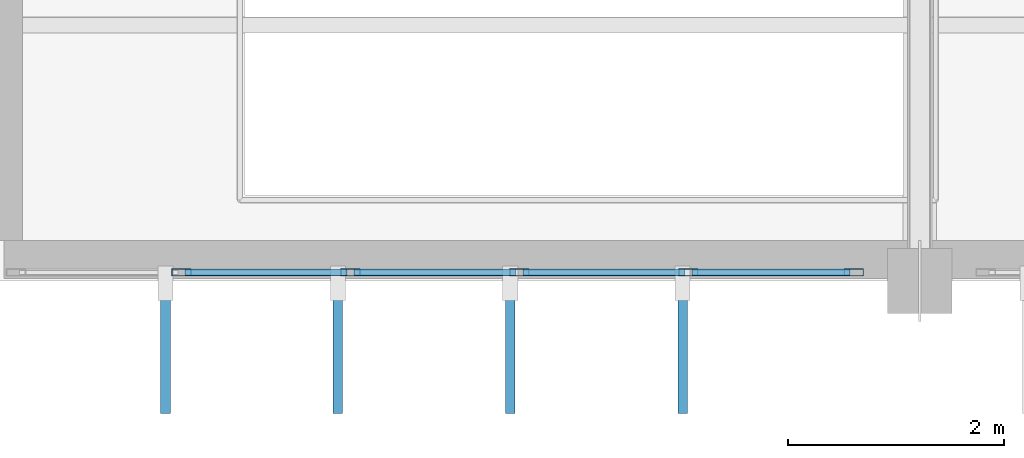
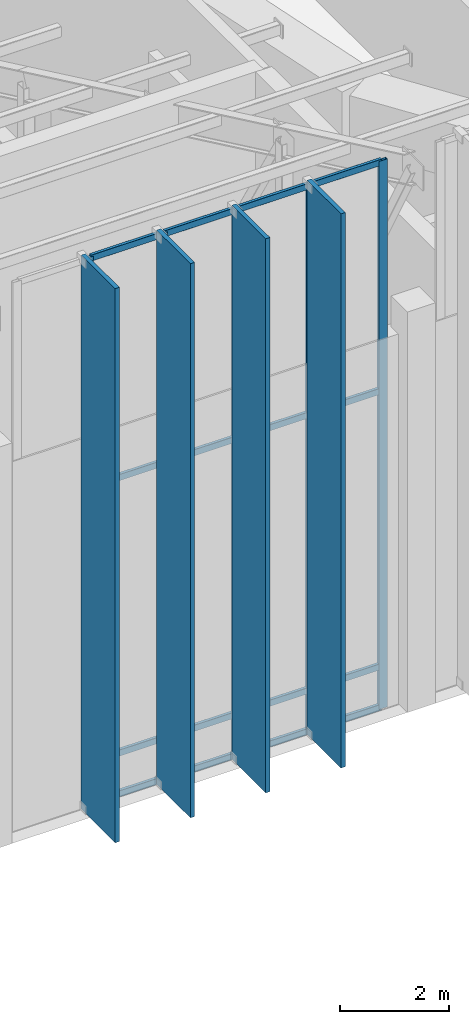
# One storey, part 23 of 68: 25 members, 1 element without a shape of its own.
"""IFC4 building model written with IfcOpenShell, lengths in metres."""

from ifc_helpers import new_model, si_unit, direction, frame, origin, origin_2d, place, context, subcontext, project, spatial, rectangle, hollow_rectangle, extrude, material, material_profile, profile_set, type_object, element, aggregate, save


model = new_model("IFC4")

# Units and contexts
model_context = context("Model", 3, precision=1e-05, world=origin(), true_north=direction((0.0, 1.0)))
body_context = subcontext(model_context, "Body", "Model", "MODEL_VIEW")
ifc_project = project(units=[si_unit("LENGTHUNIT", "METRE"), si_unit("AREAUNIT", "SQUARE_METRE"), si_unit("VOLUMEUNIT", "CUBIC_METRE"), si_unit("PLANEANGLEUNIT", "RADIAN"), si_unit("MASSUNIT", "GRAM", prefix="KILO")], contexts=[model_context])

# Site, building, storey
site_placement = place(None, origin())
site = spatial("IfcSite", under=ifc_project, at=site_placement, CompositionType="ELEMENT")
building_placement = place(site_placement, origin())
building = spatial("IfcBuilding", under=site, at=building_placement, Name="Miravela Opera House", CompositionType="ELEMENT")
storey_placement = place(building_placement, frame((0.0, 0.0, 21.760009765625)))
storey = spatial("IfcBuildingStorey", under=building, at=storey_placement, Name="L05", CompositionType="ELEMENT", Elevation=21.760009765625)

# Curtain wall, members
ifc_material = material(Name="Anodised architectural bronze aluminium 6063-T6", Category="aluminium")
curtain_wall_type = type_object("IfcCurtainWallType", Name="ARC-CW-03", PredefinedType="NOTDEFINED", material=ifc_material)
curtain_wall_placement = place(storey_placement, origin())
curtain_wall = element("IfcCurtainWall", 1, at=curtain_wall_placement, inside=storey, type_object=curtain_wall_type, Name="Auditorium South Wrapper Glazing CW-L05-064", PredefinedType="NOTDEFINED")
ifc_material_profile_1 = material_profile(ifc_material, hollow_rectangle(XDim=0.06494140625, YDim=0.179931640625, WallThickness=0.00390625, InnerFilletRadius=0.001953125, OuterFilletRadius=0.00390625, at=origin_2d()), Name="CWM-65X180")
ifc_profile_set_1 = profile_set([ifc_material_profile_1])
member_type_1 = type_object("IfcMemberType", Name="ARC-CWM-180", PredefinedType="MULLION", material=ifc_profile_set_1)
member_1_placement = place(storey_placement, frame((47.14794921875, 37.080078125, 0.0), z_axis=(0.0, 0.0, 1.0), x_axis=(0.0, 1.0, 0.0)))
member_1 = element("IfcMember", 2, at=member_1_placement, type_object=member_type_1, Name="CW-03 mullion 2", PredefinedType="MULLION", context=body_context, shape_type="SweptSolid", body=[
    extrude(hollow_rectangle(XDim=0.06494140625, YDim=0.179931640625, WallThickness=0.00390625, InnerFilletRadius=0.001953125, OuterFilletRadius=0.00390625, at=origin_2d()), origin(), (0.0, 0.0, 1.0), 12.31005859375),
])
member_2_placement = place(storey_placement, frame((48.716064453125, 37.080078125, 0.0), z_axis=(0.0, 0.0, 1.0), x_axis=(0.0, 1.0, 0.0)))
member_2 = element("IfcMember", 3, at=member_2_placement, type_object=member_type_1, Name="CW-03 mullion 3", PredefinedType="MULLION", context=body_context, shape_type="SweptSolid", body=[
    extrude(hollow_rectangle(XDim=0.06494140625, YDim=0.179931640625, WallThickness=0.00390625, InnerFilletRadius=0.001953125, OuterFilletRadius=0.00390625, at=origin_2d()), origin(), (0.0, 0.0, 1.0), 12.31005859375),
])
member_3_placement = place(storey_placement, frame((50.283935546875, 37.080078125, 0.0), z_axis=(0.0, 0.0, 1.0), x_axis=(0.0, 1.0, 0.0)))
member_3 = element("IfcMember", 4, at=member_3_placement, type_object=member_type_1, Name="CW-03 mullion 4", PredefinedType="MULLION", context=body_context, shape_type="SweptSolid", body=[
    extrude(hollow_rectangle(XDim=0.06494140625, YDim=0.179931640625, WallThickness=0.00390625, InnerFilletRadius=0.001953125, OuterFilletRadius=0.00390625, at=origin_2d()), origin(), (0.0, 0.0, 1.0), 12.31005859375),
])
member_4_placement = place(storey_placement, frame((51.85205078125, 37.080078125, 0.0), z_axis=(0.0, 0.0, 1.0), x_axis=(0.0, 1.0, 0.0)))
member_4 = element("IfcMember", 5, at=member_4_placement, type_object=member_type_1, Name="CW-03 mullion 5", PredefinedType="MULLION", context=body_context, shape_type="SweptSolid", body=[
    extrude(hollow_rectangle(XDim=0.06494140625, YDim=0.179931640625, WallThickness=0.00390625, InnerFilletRadius=0.001953125, OuterFilletRadius=0.00390625, at=origin_2d()), origin(), (0.0, 0.0, 1.0), 12.31005859375),
])
member_5_placement = place(storey_placement, frame((53.387451171875, 37.080078125, 0.0), z_axis=(0.0, 0.0, 1.0), x_axis=(0.0, 1.0, 0.0)))
member_5 = element("IfcMember", 6, at=member_5_placement, type_object=member_type_1, Name="CW-03 mullion 6", PredefinedType="MULLION", context=body_context, shape_type="SweptSolid", body=[
    extrude(hollow_rectangle(XDim=0.06494140625, YDim=0.179931640625, WallThickness=0.00390625, InnerFilletRadius=0.001953125, OuterFilletRadius=0.00390625, at=origin_2d()), origin(), (0.0, 0.0, 1.0), 12.31005859375),
])
ifc_material_profile_2 = material_profile(ifc_material, hollow_rectangle(XDim=0.06494140625, YDim=0.139892578125, WallThickness=0.00390625, InnerFilletRadius=0.001953125, OuterFilletRadius=0.00390625, at=origin_2d()), Name="CWT-65X140")
ifc_profile_set_2 = profile_set([ifc_material_profile_2])
member_type_2 = type_object("IfcMemberType", Name="ARC-CWT-140", PredefinedType="USERDEFINED", material=ifc_profile_set_2)
member_6_placement = place(storey_placement, frame((47.180419921875, 37.080078125, 0.032470703125), z_axis=(1.0, 0.0, 0.0), x_axis=(0.0, 1.0, 0.0)))
member_6 = element("IfcMember", 7, at=member_6_placement, type_object=member_type_2, Name="CW-03 transom 2.1", ObjectType="TRANSOM", PredefinedType="USERDEFINED", context=body_context, shape_type="SweptSolid", body=[
    extrude(hollow_rectangle(XDim=0.06494140625, YDim=0.139892578125, WallThickness=0.00390625, InnerFilletRadius=0.001953125, OuterFilletRadius=0.00390625, at=origin_2d()), origin(), (0.0, 0.0, 1.0), 1.503173828125),
])
member_7_placement = place(storey_placement, frame((47.180419921875, 37.080078125, 0.949951171875), z_axis=(1.0, 0.0, 0.0), x_axis=(0.0, 1.0, 0.0)))
member_7 = element("IfcMember", 8, at=member_7_placement, type_object=member_type_2, Name="CW-03 transom 2.2", ObjectType="TRANSOM", PredefinedType="USERDEFINED", context=body_context, shape_type="SweptSolid", body=[
    extrude(hollow_rectangle(XDim=0.06494140625, YDim=0.139892578125, WallThickness=0.00390625, InnerFilletRadius=0.001953125, OuterFilletRadius=0.00390625, at=origin_2d()), origin(), (0.0, 0.0, 1.0), 1.503173828125),
])
member_8_placement = place(storey_placement, frame((47.180419921875, 37.080078125, 7.139892578125), z_axis=(1.0, 0.0, 0.0), x_axis=(0.0, 1.0, 0.0)))
member_8 = element("IfcMember", 9, at=member_8_placement, type_object=member_type_2, Name="CW-03 transom 2.3", ObjectType="TRANSOM", PredefinedType="USERDEFINED", context=body_context, shape_type="SweptSolid", body=[
    extrude(hollow_rectangle(XDim=0.06494140625, YDim=0.139892578125, WallThickness=0.00390625, InnerFilletRadius=0.001953125, OuterFilletRadius=0.00390625, at=origin_2d()), origin(), (0.0, 0.0, 1.0), 1.503173828125),
])
member_9_placement = place(storey_placement, frame((47.180419921875, 37.080078125, 12.277587890625), z_axis=(1.0, 0.0, 0.0), x_axis=(0.0, 1.0, 0.0)))
member_9 = element("IfcMember", 10, at=member_9_placement, type_object=member_type_2, Name="CW-03 transom 2.4", ObjectType="TRANSOM", PredefinedType="USERDEFINED", context=body_context, shape_type="SweptSolid", body=[
    extrude(hollow_rectangle(XDim=0.06494140625, YDim=0.139892578125, WallThickness=0.00390625, InnerFilletRadius=0.001953125, OuterFilletRadius=0.00390625, at=origin_2d()), origin(), (0.0, 0.0, 1.0), 1.503173828125),
])
member_10_placement = place(storey_placement, frame((48.74853515625, 37.080078125, 0.032470703125), z_axis=(1.0, 0.0, 0.0), x_axis=(0.0, 1.0, 0.0)))
member_10 = element("IfcMember", 11, at=member_10_placement, type_object=member_type_2, Name="CW-03 transom 3.1", ObjectType="TRANSOM", PredefinedType="USERDEFINED", context=body_context, shape_type="SweptSolid", body=[
    extrude(hollow_rectangle(XDim=0.06494140625, YDim=0.139892578125, WallThickness=0.00390625, InnerFilletRadius=0.001953125, OuterFilletRadius=0.00390625, at=origin_2d()), origin(), (0.0, 0.0, 1.0), 1.5029296875),
])
member_11_placement = place(storey_placement, frame((48.74853515625, 37.080078125, 0.949951171875), z_axis=(1.0, 0.0, 0.0), x_axis=(0.0, 1.0, 0.0)))
member_11 = element("IfcMember", 12, at=member_11_placement, type_object=member_type_2, Name="CW-03 transom 3.2", ObjectType="TRANSOM", PredefinedType="USERDEFINED", context=body_context, shape_type="SweptSolid", body=[
    extrude(hollow_rectangle(XDim=0.06494140625, YDim=0.139892578125, WallThickness=0.00390625, InnerFilletRadius=0.001953125, OuterFilletRadius=0.00390625, at=origin_2d()), origin(), (0.0, 0.0, 1.0), 1.5029296875),
])
member_12_placement = place(storey_placement, frame((48.74853515625, 37.080078125, 7.139892578125), z_axis=(1.0, 0.0, 0.0), x_axis=(0.0, 1.0, 0.0)))
member_12 = element("IfcMember", 13, at=member_12_placement, type_object=member_type_2, Name="CW-03 transom 3.3", ObjectType="TRANSOM", PredefinedType="USERDEFINED", context=body_context, shape_type="SweptSolid", body=[
    extrude(hollow_rectangle(XDim=0.06494140625, YDim=0.139892578125, WallThickness=0.00390625, InnerFilletRadius=0.001953125, OuterFilletRadius=0.00390625, at=origin_2d()), origin(), (0.0, 0.0, 1.0), 1.5029296875),
])
member_13_placement = place(storey_placement, frame((48.74853515625, 37.080078125, 12.277587890625), z_axis=(1.0, 0.0, 0.0), x_axis=(0.0, 1.0, 0.0)))
member_13 = element("IfcMember", 14, at=member_13_placement, type_object=member_type_2, Name="CW-03 transom 3.4", ObjectType="TRANSOM", PredefinedType="USERDEFINED", context=body_context, shape_type="SweptSolid", body=[
    extrude(hollow_rectangle(XDim=0.06494140625, YDim=0.139892578125, WallThickness=0.00390625, InnerFilletRadius=0.001953125, OuterFilletRadius=0.00390625, at=origin_2d()), origin(), (0.0, 0.0, 1.0), 1.5029296875),
])
member_14_placement = place(storey_placement, frame((50.31640625, 37.080078125, 0.032470703125), z_axis=(1.0, 0.0, 0.0), x_axis=(0.0, 1.0, 0.0)))
member_14 = element("IfcMember", 15, at=member_14_placement, type_object=member_type_2, Name="CW-03 transom 4.1", ObjectType="TRANSOM", PredefinedType="USERDEFINED", context=body_context, shape_type="SweptSolid", body=[
    extrude(hollow_rectangle(XDim=0.06494140625, YDim=0.139892578125, WallThickness=0.00390625, InnerFilletRadius=0.001953125, OuterFilletRadius=0.00390625, at=origin_2d()), origin(), (0.0, 0.0, 1.0), 1.503173828125),
])
member_15_placement = place(storey_placement, frame((50.31640625, 37.080078125, 0.949951171875), z_axis=(1.0, 0.0, 0.0), x_axis=(0.0, 1.0, 0.0)))
member_15 = element("IfcMember", 16, at=member_15_placement, type_object=member_type_2, Name="CW-03 transom 4.2", ObjectType="TRANSOM", PredefinedType="USERDEFINED", context=body_context, shape_type="SweptSolid", body=[
    extrude(hollow_rectangle(XDim=0.06494140625, YDim=0.139892578125, WallThickness=0.00390625, InnerFilletRadius=0.001953125, OuterFilletRadius=0.00390625, at=origin_2d()), origin(), (0.0, 0.0, 1.0), 1.503173828125),
])
member_16_placement = place(storey_placement, frame((50.31640625, 37.080078125, 7.139892578125), z_axis=(1.0, 0.0, 0.0), x_axis=(0.0, 1.0, 0.0)))
member_16 = element("IfcMember", 17, at=member_16_placement, type_object=member_type_2, Name="CW-03 transom 4.3", ObjectType="TRANSOM", PredefinedType="USERDEFINED", context=body_context, shape_type="SweptSolid", body=[
    extrude(hollow_rectangle(XDim=0.06494140625, YDim=0.139892578125, WallThickness=0.00390625, InnerFilletRadius=0.001953125, OuterFilletRadius=0.00390625, at=origin_2d()), origin(), (0.0, 0.0, 1.0), 1.503173828125),
])
member_17_placement = place(storey_placement, frame((50.31640625, 37.080078125, 12.277587890625), z_axis=(1.0, 0.0, 0.0), x_axis=(0.0, 1.0, 0.0)))
member_17 = element("IfcMember", 18, at=member_17_placement, type_object=member_type_2, Name="CW-03 transom 4.4", ObjectType="TRANSOM", PredefinedType="USERDEFINED", context=body_context, shape_type="SweptSolid", body=[
    extrude(hollow_rectangle(XDim=0.06494140625, YDim=0.139892578125, WallThickness=0.00390625, InnerFilletRadius=0.001953125, OuterFilletRadius=0.00390625, at=origin_2d()), origin(), (0.0, 0.0, 1.0), 1.503173828125),
])
member_18_placement = place(storey_placement, frame((51.884521484375, 37.080078125, 0.032470703125), z_axis=(1.0, 0.0, 0.0), x_axis=(0.0, 1.0, 0.0)))
member_18 = element("IfcMember", 19, at=member_18_placement, type_object=member_type_2, Name="CW-03 transom 5.1", ObjectType="TRANSOM", PredefinedType="USERDEFINED", context=body_context, shape_type="SweptSolid", body=[
    extrude(hollow_rectangle(XDim=0.06494140625, YDim=0.139892578125, WallThickness=0.00390625, InnerFilletRadius=0.001953125, OuterFilletRadius=0.00390625, at=origin_2d()), origin(), (0.0, 0.0, 1.0), 1.470458984375),
])
member_19_placement = place(storey_placement, frame((51.884521484375, 37.080078125, 0.949951171875), z_axis=(1.0, 0.0, 0.0), x_axis=(0.0, 1.0, 0.0)))
member_19 = element("IfcMember", 20, at=member_19_placement, type_object=member_type_2, Name="CW-03 transom 5.2", ObjectType="TRANSOM", PredefinedType="USERDEFINED", context=body_context, shape_type="SweptSolid", body=[
    extrude(hollow_rectangle(XDim=0.06494140625, YDim=0.139892578125, WallThickness=0.00390625, InnerFilletRadius=0.001953125, OuterFilletRadius=0.00390625, at=origin_2d()), origin(), (0.0, 0.0, 1.0), 1.470458984375),
])
member_20_placement = place(storey_placement, frame((51.884521484375, 37.080078125, 7.139892578125), z_axis=(1.0, 0.0, 0.0), x_axis=(0.0, 1.0, 0.0)))
member_20 = element("IfcMember", 21, at=member_20_placement, type_object=member_type_2, Name="CW-03 transom 5.3", ObjectType="TRANSOM", PredefinedType="USERDEFINED", context=body_context, shape_type="SweptSolid", body=[
    extrude(hollow_rectangle(XDim=0.06494140625, YDim=0.139892578125, WallThickness=0.00390625, InnerFilletRadius=0.001953125, OuterFilletRadius=0.00390625, at=origin_2d()), origin(), (0.0, 0.0, 1.0), 1.470458984375),
])
member_21_placement = place(storey_placement, frame((51.884521484375, 37.080078125, 12.277587890625), z_axis=(1.0, 0.0, 0.0), x_axis=(0.0, 1.0, 0.0)))
member_21 = element("IfcMember", 22, at=member_21_placement, type_object=member_type_2, Name="CW-03 transom 5.4", ObjectType="TRANSOM", PredefinedType="USERDEFINED", context=body_context, shape_type="SweptSolid", body=[
    extrude(hollow_rectangle(XDim=0.06494140625, YDim=0.139892578125, WallThickness=0.00390625, InnerFilletRadius=0.001953125, OuterFilletRadius=0.00390625, at=origin_2d()), origin(), (0.0, 0.0, 1.0), 1.470458984375),
])
aggregate(curtain_wall, [member_1, member_2, member_3, member_4, member_5, member_6, member_7, member_8, member_9, member_10, member_11, member_12, member_13, member_14, member_15, member_16, member_17, member_18, member_19, member_20, member_21])

# Members
ifc_material_profile_3 = material_profile(ifc_material, rectangle(XDim=0.090087890625, YDim=1.25, at=origin_2d()), Name="FIN-1250X90")
ifc_profile_set_3 = profile_set([ifc_material_profile_3])
member_type_3 = type_object("IfcMemberType", Name="ARC-FIN-1250", PredefinedType="USERDEFINED", material=ifc_profile_set_3)
for number, where, z_axis, x_axis, name in (
    (23, (47.0, 36.39501953125, 0.0), (0.0, 0.0, 1.0), (1.0, 0.0, 0.0), "Auditorium Wrapper Bronze Solar Fin FIN-L05-SOUTH-0198"),
    (24, (48.60009765625, 36.39501953125, 0.0), (0.0, 0.0, 1.0), (1.0, 0.0, 0.0), "Auditorium Wrapper Bronze Solar Fin FIN-L05-SOUTH-0200"),
    (25, (50.199951171875, 36.39501953125, 0.0), (0.0, 0.0, 1.0), (1.0, 0.0, 0.0), "Auditorium Wrapper Bronze Solar Fin FIN-L05-SOUTH-0202"),
    (26, (51.800048828125, 36.39501953125, 0.0), (0.0, 0.0, 1.0), (1.0, 0.0, 0.0), "Auditorium Wrapper Bronze Solar Fin FIN-L05-SOUTH-0204"),
):
    element("IfcMember", number, at=place(storey_placement, frame(where, z_axis=z_axis, x_axis=x_axis)), inside=storey, type_object=member_type_3, Name=name, ObjectType="FIN", PredefinedType="USERDEFINED", context=body_context, shape_type="SweptSolid", body=[
        extrude(rectangle(XDim=0.090087890625, YDim=1.25, at=origin_2d()), origin(), (0.0, 0.0, 1.0), 12.449951171875),
    ])

save(model, "model.ifc")
